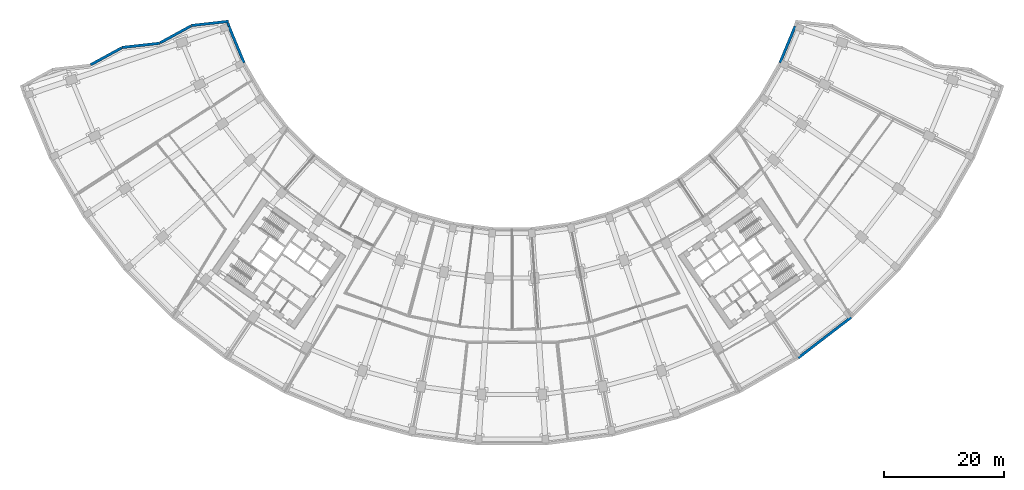
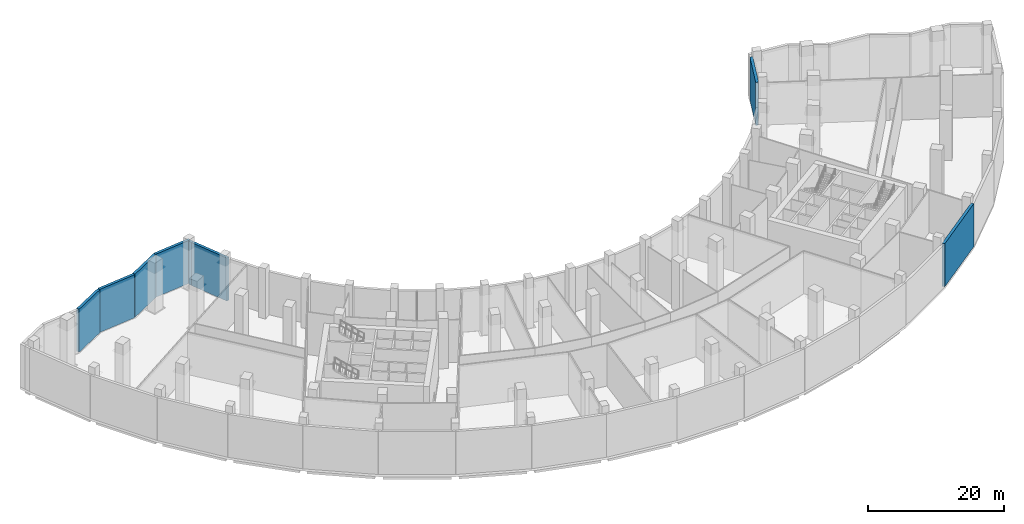
# One storey, part 10 of 19: 8 walls.
"""IFC4 building model written with IfcOpenShell, lengths in metres."""

from ifc_helpers import new_model, si_unit, direction, frame, frame_2d, origin, place, context, subcontext, project, spatial, rectangle, extrude, material, layer, layer_set, type_object, element, save


model = new_model("IFC4")

# Units and contexts
model_context = context("Model", 3, precision=1e-05, world=origin(), true_north=direction((0.0, 1.0)))
body_context = subcontext(model_context, "Body", "Model", "MODEL_VIEW")
ifc_project = project(units=[si_unit("LENGTHUNIT", "METRE"), si_unit("AREAUNIT", "SQUARE_METRE"), si_unit("VOLUMEUNIT", "CUBIC_METRE"), si_unit("PLANEANGLEUNIT", "RADIAN"), si_unit("MASSUNIT", "GRAM", prefix="KILO")], contexts=[model_context])

# Site, building, storey
site_placement = place(None, origin())
site = spatial("IfcSite", under=ifc_project, at=site_placement, CompositionType="ELEMENT")
building_placement = place(site_placement, origin())
building = spatial("IfcBuilding", under=site, at=building_placement, Name="Qamariyya Broadcast Tower", CompositionType="ELEMENT")
storey_placement = place(building_placement, frame((0.0, 0.0, 9.0)))
storey = spatial("IfcBuildingStorey", under=building, at=storey_placement, Name="L01", CompositionType="ELEMENT", Elevation=9.0)

# Walls
ifc_material = material(Name="Precast concrete C40/50 with terracotta facing", Category="masonry")
ifc_layer = layer(ifc_material, 0.449951171875)
ifc_layer_set = layer_set([ifc_layer], Name="Precast concrete C40/50 wall 450, terracotta faced")
wall_type = type_object("IfcWallType", Name="Precast concrete C40/50 wall 450, terracotta faced", PredefinedType="SOLIDWALL", material=ifc_layer_set)
wall_1_placement = place(storey_placement, frame((-47.37255859375, -15.220947265625, 0.0), z_axis=(0.0, 0.0, 1.0), x_axis=(-0.993827533543, -0.110936168908, 0.0)))
element("IfcWall", 1, at=wall_1_placement, inside=storey, type_object=wall_type, Name="e-wl-L01-capW0", PredefinedType="SOLIDWALL", context=body_context, shape_type="SweptSolid", body=[
    extrude(rectangle(XDim=6.265380859375, YDim=0.449951171875, at=frame_2d((3.1328125, 0.0))), origin(), (0.0, 0.0, 1.0), 7.699951171875),
])
wall_2_placement = place(storey_placement, frame((-53.65869140625, -15.9853515625, 0.0), z_axis=(0.0, 0.0, 1.0), x_axis=(-0.87728135657, -0.479976480064, 0.0)))
element("IfcWall", 2, at=wall_2_placement, inside=storey, type_object=wall_type, Name="e-wl-L01-capW1", PredefinedType="SOLIDWALL", context=body_context, shape_type="SweptSolid", body=[
    extrude(rectangle(XDim=5.885498046875, YDim=0.449951171875, at=frame_2d((2.94287109375, 0.0))), origin(), (0.0, 0.0, 1.0), 7.699951171875),
])
wall_3_placement = place(storey_placement, frame((-58.881103515625, -18.87939453125, 0.0), z_axis=(0.0, 0.0, 1.0), x_axis=(-0.993818963433, -0.111012917816, 0.0)))
element("IfcWall", 3, at=wall_3_placement, inside=storey, type_object=wall_type, Name="e-wl-L01-capW2", PredefinedType="SOLIDWALL", context=body_context, shape_type="SweptSolid", body=[
    extrude(rectangle(XDim=6.360107421875, YDim=0.449951171875, at=frame_2d((3.18017578125, 0.0))), origin(), (0.0, 0.0, 1.0), 7.699951171875),
])
wall_4_placement = place(storey_placement, frame((-65.26123046875, -19.654541015625, 0.0), z_axis=(0.0, 0.0, 1.0), x_axis=(-0.877230259454, -0.480069861477, 0.0)))
element("IfcWall", 4, at=wall_4_placement, inside=storey, type_object=wall_type, Name="e-wl-L01-capW3", PredefinedType="SOLIDWALL", context=body_context, shape_type="SweptSolid", body=[
    extrude(rectangle(XDim=5.883544921875, YDim=0.449951171875, at=frame_2d((2.94189453125, 0.0))), origin(), (0.0, 0.0, 1.0), 7.699951171875),
])
wall_5_placement = place(storey_placement, frame((-47.330810546875, -16.03955078125, 0.0), z_axis=(0.0, 0.0, 1.0), x_axis=(-0.311474670585, 0.950254455177, 0.0)))
element("IfcWall", 5, at=wall_5_placement, inside=storey, type_object=wall_type, Name="e-wl-L01-in00", PredefinedType="SOLIDWALL", context=body_context, shape_type="SweptSolid", body=[
    extrude(rectangle(XDim=0.570556640625, YDim=0.449951171875, at=frame_2d((0.28515625, 0.0))), origin(), (0.0, 0.0, 1.0), 7.699951171875),
])
for number, where, z_axis, x_axis, name in (
    (6, (-44.81005859375, -22.13134765625, 0.0), (0.0, 0.0, 1.0), (-0.382692796414, 0.92387565374, 0.0), "e-wl-L01-in10"),
    (7, (47.32666015625, -16.055908203125, 0.0), (0.0, 0.0, 1.0), (-0.382692796414, -0.92387565374, 0.0), "e-wl-L01-in190"),
):
    element("IfcWall", number, at=place(storey_placement, frame(where, z_axis=z_axis, x_axis=x_axis)), inside=storey, type_object=wall_type, Name=name, PredefinedType="SOLIDWALL", context=body_context, shape_type="SweptSolid", body=[
        extrude(rectangle(XDim=6.575927734375, YDim=0.449951171875, at=frame_2d((3.2880859375, 0.0))), origin(), (0.0, 0.0, 1.0), 7.699951171875),
    ])
wall_6_placement = place(storey_placement, frame((47.83935546875, -71.490966796875, 0.0), z_axis=(0.0, 0.0, 1.0), x_axis=(0.793355377778, 0.608758773695, 0.0)))
element("IfcWall", 8, at=wall_6_placement, inside=storey, type_object=wall_type, Name="e-wl-L01-out150", PredefinedType="SOLIDWALL", context=body_context, shape_type="SweptSolid", body=[
    extrude(rectangle(XDim=11.134765625, YDim=0.449951171875, at=frame_2d((5.5673828125, 0.0))), origin(), (0.0, 0.0, 1.0), 7.699951171875),
])

save(model, "model.ifc")
